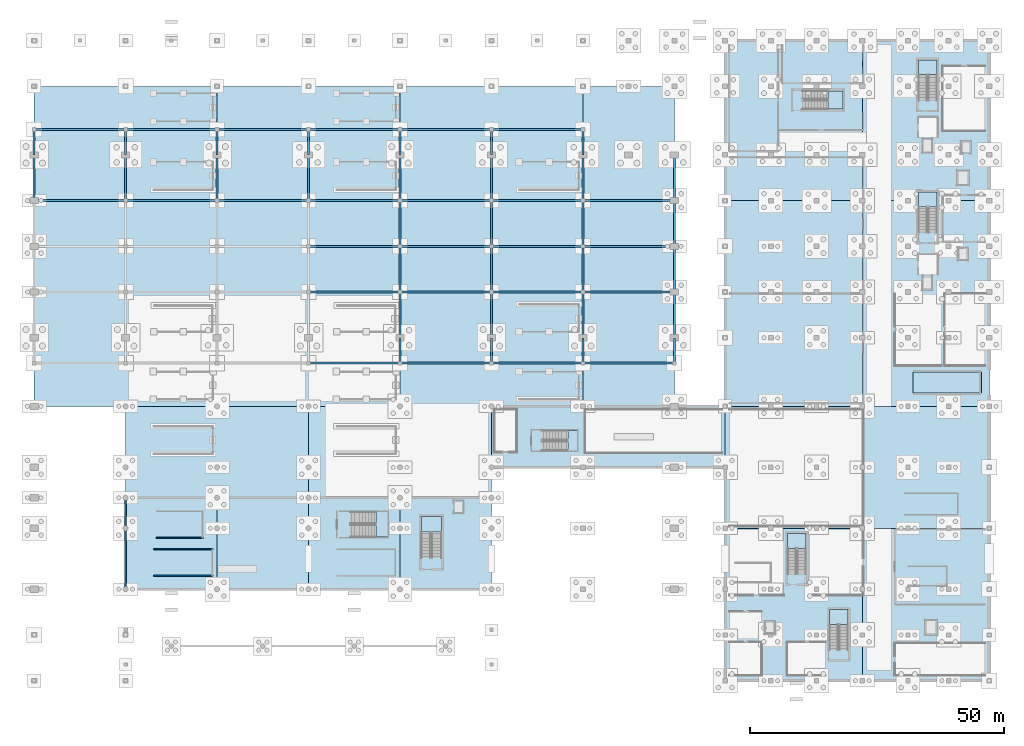
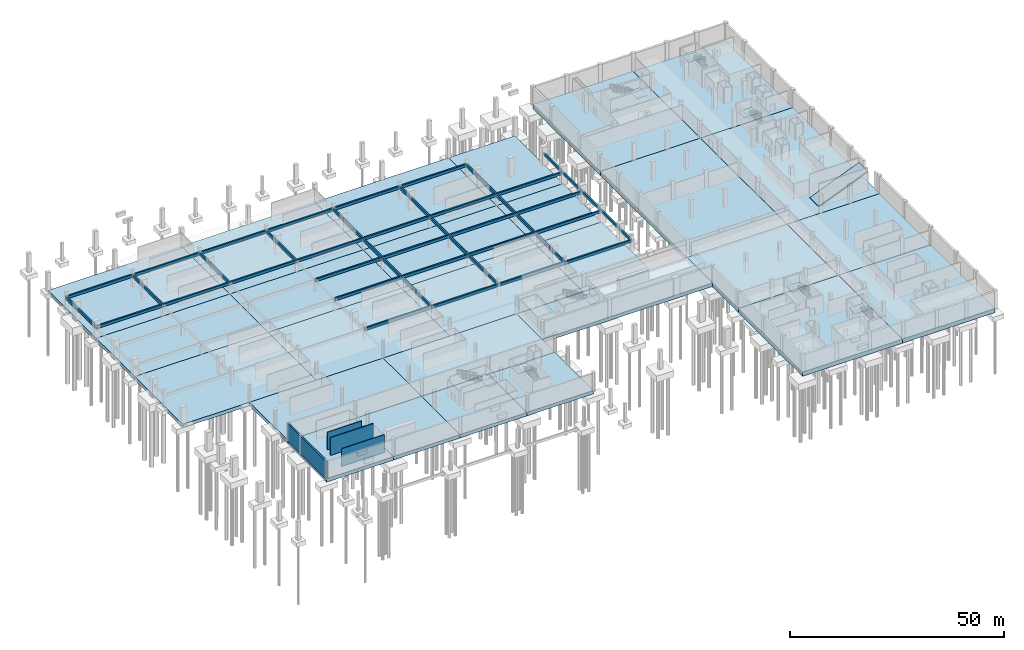
# One storey, part 11 of 26: 56 beams, 36 slabs, 4 walls, 8 elements without a shape of their own.
"""IFC4 building model written with IfcOpenShell, lengths in metres."""

from ifc_helpers import new_model, si_unit, direction, frame, frame_2d, origin, origin_2d, place, context, subcontext, project, spatial, polyline, rectangle, outline, extrude, material, layer, layer_set, material_profile, profile_set, type_object, element, aggregate, save


model = new_model("IFC4")

# Units and contexts
model_context = context("Model", 3, precision=1e-05, world=origin(), true_north=direction((0.0, 1.0)))
body_context = subcontext(model_context, "Body", "Model", "MODEL_VIEW")
ifc_project = project(units=[si_unit("LENGTHUNIT", "METRE"), si_unit("AREAUNIT", "SQUARE_METRE"), si_unit("VOLUMEUNIT", "CUBIC_METRE"), si_unit("PLANEANGLEUNIT", "RADIAN"), si_unit("MASSUNIT", "GRAM", prefix="KILO")], contexts=[model_context])

# Site, building, storey
site_placement = place(None, origin())
site = spatial("IfcSite", under=ifc_project, at=site_placement, CompositionType="ELEMENT")
building_placement = place(site_placement, origin())
building = spatial("IfcBuilding", under=site, at=building_placement, Name="Chuanluo Vaults Station", CompositionType="ELEMENT")
storey_placement = place(building_placement, frame((0.0, 0.0, -5.39990234375)))
storey = spatial("IfcBuildingStorey", under=building, at=storey_placement, Name="B1", CompositionType="ELEMENT", Elevation=-5.39990234375)

# Beams
ifc_material_1 = material(Name="Concrete C40", Category="concrete")
ifc_material_profile = material_profile(ifc_material_1, rectangle(XDim=0.39990234375, YDim=0.75, at=origin_2d()))
ifc_profile_set = profile_set([ifc_material_profile], Name="Concrete C40")
beam_type = type_object("IfcBeamType", Name="BM-RC-750", PredefinedType="USERDEFINED", material=ifc_profile_set)
for number, where, z_axis, x_axis, name in (
    (1, (54.0, 62.5, 3.125), (1.0, 0.0, 0.0), (0.0, 1.0, 0.0), "Track trough support girder 004"),
    (2, (72.0, 62.5, 3.125), (1.0, 0.0, 0.0), (0.0, 1.0, 0.0), "Track trough support girder 005"),
    (3, (90.0, 62.5, 3.125), (1.0, 0.0, 0.0), (0.0, 1.0, 0.0), "Track trough support girder 006"),
    (4, (108.0, 62.5, 3.125), (1.0, 0.0, 0.0), (0.0, 1.0, 0.0), "Track trough support girder 007"),
    (5, (54.0, 76.5, 3.125), (1.0, 0.0, 0.0), (0.0, 1.0, 0.0), "Track trough support girder 011"),
    (6, (72.0, 76.5, 3.125), (1.0, 0.0, 0.0), (0.0, 1.0, 0.0), "Track trough support girder 012"),
    (7, (90.0, 76.5, 3.125), (1.0, 0.0, 0.0), (0.0, 1.0, 0.0), "Track trough support girder 013"),
    (8, (108.0, 76.5, 3.125), (1.0, 0.0, 0.0), (0.0, 1.0, 0.0), "Track trough support girder 014"),
    (9, (54.0, 85.5, 3.125), (1.0, 0.0, 0.0), (0.0, 1.0, 0.0), "Track trough support girder 018"),
    (10, (72.0, 85.5, 3.125), (1.0, 0.0, 0.0), (0.0, 1.0, 0.0), "Track trough support girder 019"),
    (11, (90.0, 85.5, 3.125), (1.0, 0.0, 0.0), (0.0, 1.0, 0.0), "Track trough support girder 020"),
    (12, (108.0, 85.5, 3.125), (1.0, 0.0, 0.0), (0.0, 1.0, 0.0), "Track trough support girder 021"),
    (13, (0.0, 94.5, 3.125), (1.0, 0.0, 0.0), (0.0, 1.0, 0.0), "Track trough support girder 022"),
    (14, (18.0, 94.5, 3.125), (1.0, 0.0, 0.0), (0.0, 1.0, 0.0), "Track trough support girder 023"),
    (15, (36.0, 94.5, 3.125), (1.0, 0.0, 0.0), (0.0, 1.0, 0.0), "Track trough support girder 024"),
    (16, (54.0, 94.5, 3.125), (1.0, 0.0, 0.0), (0.0, 1.0, 0.0), "Track trough support girder 025"),
    (17, (72.0, 94.5, 3.125), (1.0, 0.0, 0.0), (0.0, 1.0, 0.0), "Track trough support girder 026"),
    (18, (90.0, 94.5, 3.125), (1.0, 0.0, 0.0), (0.0, 1.0, 0.0), "Track trough support girder 027"),
    (19, (108.0, 94.5, 3.125), (1.0, 0.0, 0.0), (0.0, 1.0, 0.0), "Track trough support girder 028"),
    (20, (0.0, 108.5, 3.125), (1.0, 0.0, 0.0), (0.0, 1.0, 0.0), "Track trough support girder 029"),
    (21, (18.0, 108.5, 3.125), (1.0, 0.0, 0.0), (0.0, 1.0, 0.0), "Track trough support girder 030"),
    (22, (36.0, 108.5, 3.125), (1.0, 0.0, 0.0), (0.0, 1.0, 0.0), "Track trough support girder 031"),
    (23, (54.0, 108.5, 3.125), (1.0, 0.0, 0.0), (0.0, 1.0, 0.0), "Track trough support girder 032"),
    (24, (72.0, 108.5, 3.125), (1.0, 0.0, 0.0), (0.0, 1.0, 0.0), "Track trough support girder 033"),
    (25, (90.0, 108.5, 3.125), (1.0, 0.0, 0.0), (0.0, 1.0, 0.0), "Track trough support girder 034"),
):
    element("IfcBeam", number, at=place(storey_placement, frame(where, z_axis=z_axis, x_axis=x_axis)), inside=storey, type_object=beam_type, Name=name, ObjectType="GIRDER", PredefinedType="USERDEFINED", context=body_context, shape_type="SweptSolid", body=[
        extrude(rectangle(XDim=0.39990234375, YDim=0.75, at=origin_2d()), origin(), (0.0, 0.0, 1.0), 18.0),
    ])
beam_1_placement = place(storey_placement, frame((0.0, 94.5, 3.125), z_axis=(0.0, 1.0, 0.0), x_axis=(-1.0, 0.0, 0.0)))
element("IfcBeam", 26, at=beam_1_placement, inside=storey, type_object=beam_type, Name="Track trough transverse girder 039", ObjectType="GIRDER", PredefinedType="USERDEFINED", context=body_context, shape_type="SweptSolid", body=[
    extrude(rectangle(XDim=0.39990234375, YDim=0.75, at=origin_2d()), origin(), (0.0, 0.0, 1.0), 9.0),
])
beam_2_placement = place(storey_placement, frame((0.0, 103.5, 3.125), z_axis=(0.0, 1.0, 0.0), x_axis=(-1.0, 0.0, 0.0)))
element("IfcBeam", 27, at=beam_2_placement, inside=storey, type_object=beam_type, Name="Track trough transverse girder 040", ObjectType="GIRDER", PredefinedType="USERDEFINED", context=body_context, shape_type="SweptSolid", body=[
    extrude(rectangle(XDim=0.39990234375, YDim=0.75, at=origin_2d()), origin(), (0.0, 0.0, 1.0), 5.0),
])
beam_3_placement = place(storey_placement, frame((18.0, 94.5, 3.125), z_axis=(0.0, 1.0, 0.0), x_axis=(-1.0, 0.0, 0.0)))
element("IfcBeam", 28, at=beam_3_placement, inside=storey, type_object=beam_type, Name="Track trough transverse girder 045", ObjectType="GIRDER", PredefinedType="USERDEFINED", context=body_context, shape_type="SweptSolid", body=[
    extrude(rectangle(XDim=0.39990234375, YDim=0.75, at=origin_2d()), origin(), (0.0, 0.0, 1.0), 9.0),
])
beam_4_placement = place(storey_placement, frame((18.0, 103.5, 3.125), z_axis=(0.0, 1.0, 0.0), x_axis=(-1.0, 0.0, 0.0)))
element("IfcBeam", 29, at=beam_4_placement, inside=storey, type_object=beam_type, Name="Track trough transverse girder 046", ObjectType="GIRDER", PredefinedType="USERDEFINED", context=body_context, shape_type="SweptSolid", body=[
    extrude(rectangle(XDim=0.39990234375, YDim=0.75, at=origin_2d()), origin(), (0.0, 0.0, 1.0), 5.0),
])
beam_5_placement = place(storey_placement, frame((36.0, 94.5, 3.125), z_axis=(0.0, 1.0, 0.0), x_axis=(-1.0, 0.0, 0.0)))
element("IfcBeam", 30, at=beam_5_placement, inside=storey, type_object=beam_type, Name="Track trough transverse girder 051", ObjectType="GIRDER", PredefinedType="USERDEFINED", context=body_context, shape_type="SweptSolid", body=[
    extrude(rectangle(XDim=0.39990234375, YDim=0.75, at=origin_2d()), origin(), (0.0, 0.0, 1.0), 9.0),
])
beam_6_placement = place(storey_placement, frame((36.0, 103.5, 3.125), z_axis=(0.0, 1.0, 0.0), x_axis=(-1.0, 0.0, 0.0)))
element("IfcBeam", 31, at=beam_6_placement, inside=storey, type_object=beam_type, Name="Track trough transverse girder 052", ObjectType="GIRDER", PredefinedType="USERDEFINED", context=body_context, shape_type="SweptSolid", body=[
    extrude(rectangle(XDim=0.39990234375, YDim=0.75, at=origin_2d()), origin(), (0.0, 0.0, 1.0), 5.0),
])
beam_7_placement = place(storey_placement, frame((54.0, 94.5, 3.125), z_axis=(0.0, 1.0, 0.0), x_axis=(-1.0, 0.0, 0.0)))
element("IfcBeam", 32, at=beam_7_placement, inside=storey, type_object=beam_type, Name="Track trough transverse girder 057", ObjectType="GIRDER", PredefinedType="USERDEFINED", context=body_context, shape_type="SweptSolid", body=[
    extrude(rectangle(XDim=0.39990234375, YDim=0.75, at=origin_2d()), origin(), (0.0, 0.0, 1.0), 9.0),
])
for number, where, z_axis, x_axis, name in (
    (33, (54.0, 103.5, 3.125), (0.0, 1.0, 0.0), (-1.0, 0.0, 0.0), "Track trough transverse girder 058"),
    (34, (72.0, 62.5, 3.125), (0.0, 1.0, 0.0), (-1.0, 0.0, 0.0), "Track trough transverse girder 059"),
):
    element("IfcBeam", number, at=place(storey_placement, frame(where, z_axis=z_axis, x_axis=x_axis)), inside=storey, type_object=beam_type, Name=name, ObjectType="GIRDER", PredefinedType="USERDEFINED", context=body_context, shape_type="SweptSolid", body=[
        extrude(rectangle(XDim=0.39990234375, YDim=0.75, at=origin_2d()), origin(), (0.0, 0.0, 1.0), 5.0),
    ])
for number, where, z_axis, x_axis, name in (
    (35, (72.0, 67.5, 3.125), (0.0, 1.0, 0.0), (-1.0, 0.0, 0.0), "Track trough transverse girder 060"),
    (36, (72.0, 76.5, 3.125), (0.0, 1.0, 0.0), (-1.0, 0.0, 0.0), "Track trough transverse girder 061"),
    (37, (72.0, 85.5, 3.125), (0.0, 1.0, 0.0), (-1.0, 0.0, 0.0), "Track trough transverse girder 062"),
    (38, (72.0, 94.5, 3.125), (0.0, 1.0, 0.0), (-1.0, 0.0, 0.0), "Track trough transverse girder 063"),
):
    element("IfcBeam", number, at=place(storey_placement, frame(where, z_axis=z_axis, x_axis=x_axis)), inside=storey, type_object=beam_type, Name=name, ObjectType="GIRDER", PredefinedType="USERDEFINED", context=body_context, shape_type="SweptSolid", body=[
        extrude(rectangle(XDim=0.39990234375, YDim=0.75, at=origin_2d()), origin(), (0.0, 0.0, 1.0), 9.0),
    ])
for number, where, z_axis, x_axis, name in (
    (39, (72.0, 103.5, 3.125), (0.0, 1.0, 0.0), (-1.0, 0.0, 0.0), "Track trough transverse girder 064"),
    (40, (90.0, 62.5, 3.125), (0.0, 1.0, 0.0), (-1.0, 0.0, 0.0), "Track trough transverse girder 065"),
):
    element("IfcBeam", number, at=place(storey_placement, frame(where, z_axis=z_axis, x_axis=x_axis)), inside=storey, type_object=beam_type, Name=name, ObjectType="GIRDER", PredefinedType="USERDEFINED", context=body_context, shape_type="SweptSolid", body=[
        extrude(rectangle(XDim=0.39990234375, YDim=0.75, at=origin_2d()), origin(), (0.0, 0.0, 1.0), 5.0),
    ])
for number, where, z_axis, x_axis, name in (
    (41, (90.0, 67.5, 3.125), (0.0, 1.0, 0.0), (-1.0, 0.0, 0.0), "Track trough transverse girder 066"),
    (42, (90.0, 76.5, 3.125), (0.0, 1.0, 0.0), (-1.0, 0.0, 0.0), "Track trough transverse girder 067"),
    (43, (90.0, 85.5, 3.125), (0.0, 1.0, 0.0), (-1.0, 0.0, 0.0), "Track trough transverse girder 068"),
    (44, (90.0, 94.5, 3.125), (0.0, 1.0, 0.0), (-1.0, 0.0, 0.0), "Track trough transverse girder 069"),
):
    element("IfcBeam", number, at=place(storey_placement, frame(where, z_axis=z_axis, x_axis=x_axis)), inside=storey, type_object=beam_type, Name=name, ObjectType="GIRDER", PredefinedType="USERDEFINED", context=body_context, shape_type="SweptSolid", body=[
        extrude(rectangle(XDim=0.39990234375, YDim=0.75, at=origin_2d()), origin(), (0.0, 0.0, 1.0), 9.0),
    ])
for number, where, z_axis, x_axis, name in (
    (45, (90.0, 103.5, 3.125), (0.0, 1.0, 0.0), (-1.0, 0.0, 0.0), "Track trough transverse girder 070"),
    (46, (108.0, 62.5, 3.125), (0.0, 1.0, 0.0), (-1.0, 0.0, 0.0), "Track trough transverse girder 071"),
):
    element("IfcBeam", number, at=place(storey_placement, frame(where, z_axis=z_axis, x_axis=x_axis)), inside=storey, type_object=beam_type, Name=name, ObjectType="GIRDER", PredefinedType="USERDEFINED", context=body_context, shape_type="SweptSolid", body=[
        extrude(rectangle(XDim=0.39990234375, YDim=0.75, at=origin_2d()), origin(), (0.0, 0.0, 1.0), 5.0),
    ])
for number, where, z_axis, x_axis, name in (
    (47, (108.0, 67.5, 3.125), (0.0, 1.0, 0.0), (-1.0, 0.0, 0.0), "Track trough transverse girder 072"),
    (48, (108.0, 76.5, 3.125), (0.0, 1.0, 0.0), (-1.0, 0.0, 0.0), "Track trough transverse girder 073"),
    (49, (108.0, 85.5, 3.125), (0.0, 1.0, 0.0), (-1.0, 0.0, 0.0), "Track trough transverse girder 074"),
    (50, (108.0, 94.5, 3.125), (0.0, 1.0, 0.0), (-1.0, 0.0, 0.0), "Track trough transverse girder 075"),
):
    element("IfcBeam", number, at=place(storey_placement, frame(where, z_axis=z_axis, x_axis=x_axis)), inside=storey, type_object=beam_type, Name=name, ObjectType="GIRDER", PredefinedType="USERDEFINED", context=body_context, shape_type="SweptSolid", body=[
        extrude(rectangle(XDim=0.39990234375, YDim=0.75, at=origin_2d()), origin(), (0.0, 0.0, 1.0), 9.0),
    ])
for number, where, z_axis, x_axis, name in (
    (51, (108.0, 103.5, 3.125), (0.0, 1.0, 0.0), (-1.0, 0.0, 0.0), "Track trough transverse girder 076"),
    (52, (126.0, 62.5, 3.125), (0.0, 1.0, 0.0), (-1.0, 0.0, 0.0), "Track trough transverse girder 077"),
):
    element("IfcBeam", number, at=place(storey_placement, frame(where, z_axis=z_axis, x_axis=x_axis)), inside=storey, type_object=beam_type, Name=name, ObjectType="GIRDER", PredefinedType="USERDEFINED", context=body_context, shape_type="SweptSolid", body=[
        extrude(rectangle(XDim=0.39990234375, YDim=0.75, at=origin_2d()), origin(), (0.0, 0.0, 1.0), 5.0),
    ])
for number, where, z_axis, x_axis, name in (
    (53, (126.0, 67.5, 3.125), (0.0, 1.0, 0.0), (-1.0, 0.0, 0.0), "Track trough transverse girder 078"),
    (54, (126.0, 76.5, 3.125), (0.0, 1.0, 0.0), (-1.0, 0.0, 0.0), "Track trough transverse girder 079"),
    (55, (126.0, 85.5, 3.125), (0.0, 1.0, 0.0), (-1.0, 0.0, 0.0), "Track trough transverse girder 080"),
    (56, (126.0, 94.5, 3.125), (0.0, 1.0, 0.0), (-1.0, 0.0, 0.0), "Track trough transverse girder 081"),
):
    element("IfcBeam", number, at=place(storey_placement, frame(where, z_axis=z_axis, x_axis=x_axis)), inside=storey, type_object=beam_type, Name=name, ObjectType="GIRDER", PredefinedType="USERDEFINED", context=body_context, shape_type="SweptSolid", body=[
        extrude(rectangle(XDim=0.39990234375, YDim=0.75, at=origin_2d()), origin(), (0.0, 0.0, 1.0), 9.0),
    ])

# Stair, slab
ifc_material_2 = material(Name="Concrete C40", Category="concrete")
stair_type_1 = type_object("IfcStairType", Name="STR-TWO-2400", PredefinedType="HALF_TURN_STAIR", material=ifc_material_2)
stair_1_placement = place(storey_placement, origin())
stair_1 = element("IfcStair", 57, at=stair_1_placement, inside=storey, type_object=stair_type_1, Name="B1 ST-24", PredefinedType="HALF_TURN_STAIR")
ifc_material_3 = material(Name="Concrete C40", Category="concrete")
ifc_layer_1 = layer(ifc_material_3, 0.18994140625)
ifc_layer_set_1 = layer_set([ifc_layer_1], Name="Concrete C40")
slab_type_1 = type_object("IfcSlabType", Name="SLB-LND-190", PredefinedType="LANDING", material=ifc_layer_set_1)
slab_1_placement = place(storey_placement, frame((0.0, 0.0, 2.5)))
slab_1 = element("IfcSlab", 58, at=slab_1_placement, type_object=slab_type_1, Name="ST-24 landing 1", PredefinedType="LANDING", context=body_context, shape_type="SweptSolid", body=[
    extrude(outline(polyline([(67.28759765625, 28.25), (69.66259765625, 28.25), (69.66259765625, 33.25), (67.28759765625, 33.25), (67.28759765625, 28.25)])), origin(), (0.0, 0.0, 1.0), 0.199951171875),
])
aggregate(stair_1, [slab_1])

ifc_material_4 = material(Name="Concrete C40", Category="concrete")
stair_type_2 = type_object("IfcStairType", Name="STR-TWO-1800", PredefinedType="HALF_TURN_STAIR", material=ifc_material_4)
stair_2_placement = place(storey_placement, origin())
stair_2 = element("IfcStair", 59, at=stair_2_placement, inside=storey, type_object=stair_type_2, Name="B1 ST-25", PredefinedType="HALF_TURN_STAIR")
slab_2_placement = place(storey_placement, frame((0.0, 0.0, 2.5)))
slab_2 = element("IfcSlab", 60, at=slab_2_placement, type_object=slab_type_1, Name="ST-25 landing 1", PredefinedType="LANDING", context=body_context, shape_type="SweptSolid", body=[
    extrude(outline(polyline([(105.03759765625, 45.25), (106.91259765625, 45.25), (106.91259765625, 49.25), (105.03759765625, 49.25), (105.03759765625, 45.25)])), origin(), (0.0, 0.0, 1.0), 0.199951171875),
])
aggregate(stair_2, [slab_2])

ifc_material_5 = material(Name="Concrete C40", Category="concrete")
stair_type_3 = type_object("IfcStairType", Name="STR-TWO-1600", PredefinedType="HALF_TURN_STAIR", material=ifc_material_5)
stair_3_placement = place(storey_placement, origin())
stair_3 = element("IfcStair", 61, at=stair_3_placement, inside=storey, type_object=stair_type_3, Name="B1 ST-01", PredefinedType="HALF_TURN_STAIR")
ifc_material_6 = material(Name="Concrete C40", Category="concrete")
ifc_layer_2 = layer(ifc_material_6, 0.199951171875)
ifc_layer_set_2 = layer_set([ifc_layer_2], Name="Concrete C40")
slab_type_2 = type_object("IfcSlabType", Name="SLB-LND-200", PredefinedType="LANDING", material=ifc_layer_set_2)
slab_3_placement = place(storey_placement, frame((0.0, 0.0, 2.5)))
slab_3 = element("IfcSlab", 62, at=slab_3_placement, type_object=slab_type_2, Name="ST-01 landing 1", PredefinedType="LANDING", context=body_context, shape_type="SweptSolid", body=[
    extrude(outline(polyline([(177.6875, 93.28759765625), (177.6875, 96.172607421875), (174.0673828125, 96.172607421875), (174.0673828125, 93.28759765625), (177.6875, 93.28759765625)])), origin(), (0.0, 0.0, 1.0), 0.199951171875),
])
aggregate(stair_3, [slab_3])

stair_4_placement = place(storey_placement, origin())
stair_4 = element("IfcStair", 63, at=stair_4_placement, inside=storey, type_object=stair_type_3, Name="B1 ST-02", PredefinedType="HALF_TURN_STAIR")
slab_4_placement = place(storey_placement, frame((0.0, 0.0, 2.5)))
slab_4 = element("IfcSlab", 64, at=slab_4_placement, type_object=slab_type_2, Name="ST-02 landing 1", PredefinedType="LANDING", context=body_context, shape_type="SweptSolid", body=[
    extrude(outline(polyline([(177.6875, 119.28759765625), (177.6875, 122.172607421875), (174.0673828125, 122.172607421875), (174.0673828125, 119.28759765625), (177.6875, 119.28759765625)])), origin(), (0.0, 0.0, 1.0), 0.199951171875),
])
aggregate(stair_4, [slab_4])

stair_5_placement = place(storey_placement, origin())
stair_5 = element("IfcStair", 65, at=stair_5_placement, inside=storey, type_object=stair_type_3, Name="B1 ST-03", PredefinedType="HALF_TURN_STAIR")
slab_5_placement = place(storey_placement, frame((0.0, 0.0, 2.5)))
slab_5 = element("IfcSlab", 66, at=slab_5_placement, type_object=slab_type_2, Name="ST-03 landing 1", PredefinedType="LANDING", context=body_context, shape_type="SweptSolid", body=[
    extrude(outline(polyline([(156.28759765625, 112.5), (159.172607421875, 112.5), (159.172607421875, 116.1201171875), (156.28759765625, 116.1201171875), (156.28759765625, 112.5)])), origin(), (0.0, 0.0, 1.0), 0.199951171875),
])
aggregate(stair_5, [slab_5])

stair_6_placement = place(storey_placement, origin())
stair_6 = element("IfcStair", 67, at=stair_6_placement, inside=storey, type_object=stair_type_3, Name="B1 ST-04", PredefinedType="HALF_TURN_STAIR")
slab_6_placement = place(storey_placement, frame((0.0, 0.0, 2.5)))
slab_6 = element("IfcSlab", 68, at=slab_6_placement, type_object=slab_type_2, Name="ST-04 landing 1", PredefinedType="LANDING", context=body_context, shape_type="SweptSolid", body=[
    extrude(outline(polyline([(151.9375, 26.03759765625), (151.9375, 28.922607421875), (148.3173828125, 28.922607421875), (148.3173828125, 26.03759765625), (151.9375, 26.03759765625)])), origin(), (0.0, 0.0, 1.0), 0.199951171875),
])
aggregate(stair_6, [slab_6])

stair_7_placement = place(storey_placement, origin())
stair_7 = element("IfcStair", 69, at=stair_7_placement, inside=storey, type_object=stair_type_3, Name="B1 ST-05", PredefinedType="HALF_TURN_STAIR")
slab_7_placement = place(storey_placement, frame((0.0, 0.0, 2.5)))
slab_7 = element("IfcSlab", 70, at=slab_7_placement, type_object=slab_type_2, Name="ST-05 landing 1", PredefinedType="LANDING", context=body_context, shape_type="SweptSolid", body=[
    extrude(outline(polyline([(160.1875, 11.10009765625), (160.1875, 13.985107421875), (156.5673828125, 13.985107421875), (156.5673828125, 11.10009765625), (160.1875, 11.10009765625)])), origin(), (0.0, 0.0, 1.0), 0.199951171875),
])
aggregate(stair_7, [slab_7])

stair_8_placement = place(storey_placement, origin())
stair_8 = element("IfcStair", 71, at=stair_8_placement, inside=storey, type_object=stair_type_2, Name="B1 ST-06", PredefinedType="HALF_TURN_STAIR")
slab_8_placement = place(storey_placement, frame((0.0, 0.0, 2.5)))
slab_8 = element("IfcSlab", 72, at=slab_8_placement, type_object=slab_type_2, Name="ST-06 landing 1", PredefinedType="LANDING", context=body_context, shape_type="SweptSolid", body=[
    extrude(outline(polyline([(80.1875, 29.22509765625), (80.1875, 32.300048828125), (76.1875, 32.300048828125), (76.1875, 29.22509765625), (80.1875, 29.22509765625)])), origin(), (0.0, 0.0, 1.0), 0.199951171875),
])
aggregate(stair_8, [slab_8])

# Slabs
ifc_material_7 = material(Name="Concrete C40", Category="concrete")
ifc_layer_3 = layer(ifc_material_7, 1.0)
ifc_layer_set_3 = layer_set([ifc_layer_3], Name="Concrete C40")
slab_type_3 = type_object("IfcSlabType", Name="SLB-RAFT-1000", PredefinedType="BASESLAB", material=ifc_layer_set_3)
slab_9_placement = place(storey_placement, frame((0.0, 0.0, -1.0)))
element("IfcSlab", 73, at=slab_9_placement, inside=storey, type_object=slab_type_3, Name="B1 UND0 slab 01", PredefinedType="BASESLAB", context=body_context, shape_type="SweptSolid", body=[
    extrude(outline(polyline([(18.0, 18.0), (36.0, 18.0), (36.0, 36.0), (18.0, 36.0), (18.0, 18.0)])), origin(), (0.0, 0.0, 1.0), 1.0),
])
slab_10_placement = place(storey_placement, frame((0.0, 0.0, -1.0)))
element("IfcSlab", 74, at=slab_10_placement, inside=storey, type_object=slab_type_3, Name="B1 UND0 slab 02", PredefinedType="BASESLAB", context=body_context, shape_type="SweptSolid", body=[
    extrude(outline(polyline([(36.0, 18.0), (54.0, 18.0), (54.0, 36.0), (36.0, 36.0), (36.0, 18.0)])), origin(), (0.0, 0.0, 1.0), 1.0),
])
slab_11_placement = place(storey_placement, frame((0.0, 0.0, -1.0)))
element("IfcSlab", 75, at=slab_11_placement, inside=storey, type_object=slab_type_3, Name="B1 UND1 slab 01", PredefinedType="BASESLAB", context=body_context, shape_type="SweptSolid", body=[
    extrude(outline(polyline([(54.0, 18.0), (72.0, 18.0), (72.0, 36.0), (54.0, 36.0), (54.0, 18.0)])), origin(), (0.0, 0.0, 1.0), 1.0),
])
slab_12_placement = place(storey_placement, frame((0.0, 0.0, -1.0)))
element("IfcSlab", 76, at=slab_12_placement, inside=storey, type_object=slab_type_3, Name="B1 UND1 slab 02", PredefinedType="BASESLAB", context=body_context, shape_type="SweptSolid", body=[
    extrude(outline(polyline([(72.0, 18.0), (90.0, 18.0), (90.0, 36.0), (72.0, 36.0), (72.0, 18.0)])), origin(), (0.0, 0.0, 1.0), 1.0),
])
slab_13_placement = place(storey_placement, frame((0.0, 0.0, -1.0)))
element("IfcSlab", 77, at=slab_13_placement, inside=storey, type_object=slab_type_3, Name="B1 UND1B slab 01", PredefinedType="BASESLAB", context=body_context, shape_type="SweptSolid", body=[
    extrude(outline(polyline([(18.0, 36.0), (54.0, 36.0), (54.0, 54.0), (18.0, 54.0), (18.0, 36.0)])), origin(), (0.0, 0.0, 1.0), 1.0),
])
slab_14_placement = place(storey_placement, frame((0.0, 0.0, -1.0)))
element("IfcSlab", 78, at=slab_14_placement, inside=storey, type_object=slab_type_3, Name="B1 UND1B slab 02", PredefinedType="BASESLAB", context=body_context, shape_type="SweptSolid", body=[
    extrude(outline(polyline([(54.0, 36.0), (90.0, 36.0), (90.0, 54.0), (54.0, 54.0), (54.0, 36.0)])), origin(), (0.0, 0.0, 1.0), 1.0),
])
slab_15_placement = place(storey_placement, frame((0.0, 0.0, -1.0)))
element("IfcSlab", 79, at=slab_15_placement, inside=storey, type_object=slab_type_3, Name="B1 UND2 slab 01", PredefinedType="BASESLAB", context=body_context, shape_type="SweptSolid", body=[
    extrude(outline(polyline([(90.0, 42.0), (136.0, 42.0), (136.0, 54.0), (90.0, 54.0), (90.0, 42.0)])), origin(), (0.0, 0.0, 1.0), 1.0),
])
slab_16_placement = place(storey_placement, frame((0.0, 0.0, -1.0)))
element("IfcSlab", 80, at=slab_16_placement, inside=storey, type_object=slab_type_3, Name="B1 UND3 slab 01", PredefinedType="BASESLAB", context=body_context, shape_type="SweptSolid", body=[
    extrude(outline(polyline([(0.0, 54.0), (36.0, 54.0), (36.0, 76.5), (0.0, 76.5), (0.0, 54.0)])), origin(), (0.0, 0.0, 1.0), 1.0),
])
slab_17_placement = place(storey_placement, frame((0.0, 0.0, -1.0)))
element("IfcSlab", 81, at=slab_17_placement, inside=storey, type_object=slab_type_3, Name="B1 UND3 slab 02", PredefinedType="BASESLAB", context=body_context, shape_type="SweptSolid", body=[
    extrude(outline(polyline([(0.0, 76.5), (36.0, 76.5), (36.0, 94.5), (0.0, 94.5), (0.0, 76.5)])), origin(), (0.0, 0.0, 1.0), 1.0),
])
slab_18_placement = place(storey_placement, frame((0.0, 0.0, -1.0)))
element("IfcSlab", 82, at=slab_18_placement, inside=storey, type_object=slab_type_3, Name="B1 UND3 slab 03", PredefinedType="BASESLAB", context=body_context, shape_type="SweptSolid", body=[
    extrude(outline(polyline([(0.0, 94.5), (36.0, 94.5), (36.0, 117.0), (0.0, 117.0), (0.0, 94.5)])), origin(), (0.0, 0.0, 1.0), 1.0),
])
slab_19_placement = place(storey_placement, frame((0.0, 0.0, -1.0)))
element("IfcSlab", 83, at=slab_19_placement, inside=storey, type_object=slab_type_3, Name="B1 UND3 slab 04", PredefinedType="BASESLAB", context=body_context, shape_type="SweptSolid", body=[
    extrude(outline(polyline([(36.0, 54.0), (72.0, 54.0), (72.0, 76.5), (36.0, 76.5), (36.0, 54.0)])), origin(), (0.0, 0.0, 1.0), 1.0),
])
slab_20_placement = place(storey_placement, frame((0.0, 0.0, -1.0)))
element("IfcSlab", 84, at=slab_20_placement, inside=storey, type_object=slab_type_3, Name="B1 UND3 slab 05", PredefinedType="BASESLAB", context=body_context, shape_type="SweptSolid", body=[
    extrude(outline(polyline([(36.0, 76.5), (72.0, 76.5), (72.0, 94.5), (36.0, 94.5), (36.0, 76.5)])), origin(), (0.0, 0.0, 1.0), 1.0),
])
slab_21_placement = place(storey_placement, frame((0.0, 0.0, -1.0)))
element("IfcSlab", 85, at=slab_21_placement, inside=storey, type_object=slab_type_3, Name="B1 UND3 slab 06", PredefinedType="BASESLAB", context=body_context, shape_type="SweptSolid", body=[
    extrude(outline(polyline([(36.0, 94.5), (72.0, 94.5), (72.0, 117.0), (36.0, 117.0), (36.0, 94.5)])), origin(), (0.0, 0.0, 1.0), 1.0),
])
slab_22_placement = place(storey_placement, frame((0.0, 0.0, -1.0)))
element("IfcSlab", 86, at=slab_22_placement, inside=storey, type_object=slab_type_3, Name="B1 UND3 slab 07", PredefinedType="BASESLAB", context=body_context, shape_type="SweptSolid", body=[
    extrude(outline(polyline([(72.0, 54.0), (108.0, 54.0), (108.0, 76.5), (72.0, 76.5), (72.0, 54.0)])), origin(), (0.0, 0.0, 1.0), 1.0),
])
slab_23_placement = place(storey_placement, frame((0.0, 0.0, -1.0)))
element("IfcSlab", 87, at=slab_23_placement, inside=storey, type_object=slab_type_3, Name="B1 UND3 slab 08", PredefinedType="BASESLAB", context=body_context, shape_type="SweptSolid", body=[
    extrude(outline(polyline([(72.0, 76.5), (108.0, 76.5), (108.0, 94.5), (72.0, 94.5), (72.0, 76.5)])), origin(), (0.0, 0.0, 1.0), 1.0),
])
slab_24_placement = place(storey_placement, frame((0.0, 0.0, -1.0)))
element("IfcSlab", 88, at=slab_24_placement, inside=storey, type_object=slab_type_3, Name="B1 UND3 slab 09", PredefinedType="BASESLAB", context=body_context, shape_type="SweptSolid", body=[
    extrude(outline(polyline([(72.0, 94.5), (108.0, 94.5), (108.0, 117.0), (72.0, 117.0), (72.0, 94.5)])), origin(), (0.0, 0.0, 1.0), 1.0),
])
slab_25_placement = place(storey_placement, frame((0.0, 0.0, -1.0)))
element("IfcSlab", 89, at=slab_25_placement, inside=storey, type_object=slab_type_3, Name="B1 UND3 slab 10", PredefinedType="BASESLAB", context=body_context, shape_type="SweptSolid", body=[
    extrude(outline(polyline([(108.0, 54.0), (126.0, 54.0), (126.0, 76.5), (108.0, 76.5), (108.0, 54.0)])), origin(), (0.0, 0.0, 1.0), 1.0),
])
slab_26_placement = place(storey_placement, frame((0.0, 0.0, -1.0)))
element("IfcSlab", 90, at=slab_26_placement, inside=storey, type_object=slab_type_3, Name="B1 UND3 slab 11", PredefinedType="BASESLAB", context=body_context, shape_type="SweptSolid", body=[
    extrude(outline(polyline([(108.0, 76.5), (126.0, 76.5), (126.0, 94.5), (108.0, 94.5), (108.0, 76.5)])), origin(), (0.0, 0.0, 1.0), 1.0),
])
slab_27_placement = place(storey_placement, frame((0.0, 0.0, -1.0)))
element("IfcSlab", 91, at=slab_27_placement, inside=storey, type_object=slab_type_3, Name="B1 UND3 slab 12", PredefinedType="BASESLAB", context=body_context, shape_type="SweptSolid", body=[
    extrude(outline(polyline([(108.0, 94.5), (126.0, 94.5), (126.0, 117.0), (108.0, 117.0), (108.0, 94.5)])), origin(), (0.0, 0.0, 1.0), 1.0),
])
ifc_material_8 = material(Name="Concrete C40", Category="concrete")
ifc_layer_4 = layer(ifc_material_8, 1.199951171875)
ifc_layer_set_4 = layer_set([ifc_layer_4], Name="Concrete C40")
slab_type_4 = type_object("IfcSlabType", Name="SLB-RAFT-1200", PredefinedType="BASESLAB", material=ifc_layer_set_4)
slab_28_placement = place(storey_placement, frame((0.0, 0.0, -1.2001953125)))
element("IfcSlab", 92, at=slab_28_placement, inside=storey, type_object=slab_type_4, Name="B1 RFT slab 01", PredefinedType="BASESLAB", context=body_context, shape_type="SweptSolid", body=[
    extrude(outline(polyline([(136.0, 0.0), (163.0, 0.0), (163.0, 30.0), (136.0, 30.0), (136.0, 0.0)])), origin(), (0.0, 0.0, 1.0), 1.2001953125),
])
slab_29_placement = place(storey_placement, frame((0.0, 0.0, -1.2001953125)))
element("IfcSlab", 93, at=slab_29_placement, inside=storey, type_object=slab_type_4, Name="B1 RFT slab 02", PredefinedType="BASESLAB", context=body_context, shape_type="SweptSolid", body=[
    extrude(outline(polyline([(136.0, 30.0), (163.0, 30.0), (163.0, 54.0), (136.0, 54.0), (136.0, 30.0)])), origin(), (0.0, 0.0, 1.0), 1.2001953125),
])
slab_30_placement = place(storey_placement, frame((0.0, 0.0, -1.2001953125)))
element("IfcSlab", 94, at=slab_30_placement, inside=storey, type_object=slab_type_4, Name="B1 RFT slab 03", PredefinedType="BASESLAB", context=body_context, shape_type="SweptSolid", body=[
    extrude(outline(polyline([(136.0, 54.0), (163.0, 54.0), (163.0, 94.5), (136.0, 94.5), (136.0, 54.0)])), origin(), (0.0, 0.0, 1.0), 1.2001953125),
])
slab_31_placement = place(storey_placement, frame((0.0, 0.0, -1.2001953125)))
element("IfcSlab", 95, at=slab_31_placement, inside=storey, type_object=slab_type_4, Name="B1 RFT slab 04", PredefinedType="BASESLAB", context=body_context, shape_type="SweptSolid", body=[
    extrude(outline(polyline([(136.0, 94.5), (163.0, 94.5), (163.0, 126.0), (136.0, 126.0), (136.0, 94.5)])), origin(), (0.0, 0.0, 1.0), 1.2001953125),
])
slab_32_placement = place(storey_placement, frame((0.0, 0.0, -1.2001953125)))
element("IfcSlab", 96, at=slab_32_placement, inside=storey, type_object=slab_type_4, Name="B1 RFT slab 05", PredefinedType="BASESLAB", context=body_context, shape_type="SweptSolid", body=[
    extrude(outline(polyline([(163.0, 0.0), (188.0, 0.0), (188.0, 30.0), (163.0, 30.0), (163.0, 0.0)])), origin(), (0.0, 0.0, 1.0), 1.2001953125),
])
slab_33_placement = place(storey_placement, frame((0.0, 0.0, -1.2001953125)))
element("IfcSlab", 97, at=slab_33_placement, inside=storey, type_object=slab_type_4, Name="B1 RFT slab 06", PredefinedType="BASESLAB", context=body_context, shape_type="SweptSolid", body=[
    extrude(outline(polyline([(163.0, 30.0), (188.0, 30.0), (188.0, 54.0), (163.0, 54.0), (163.0, 30.0)])), origin(), (0.0, 0.0, 1.0), 1.2001953125),
])
slab_34_placement = place(storey_placement, frame((0.0, 0.0, -1.2001953125)))
element("IfcSlab", 98, at=slab_34_placement, inside=storey, type_object=slab_type_4, Name="B1 RFT slab 07", PredefinedType="BASESLAB", context=body_context, shape_type="SweptSolid", body=[
    extrude(outline(polyline([(163.0, 54.0), (188.0, 54.0), (188.0, 94.5), (163.0, 94.5), (163.0, 54.0)]), holes=[polyline([(172.949951171875, 56.60009765625), (173.89990234375, 56.60009765625), (173.89990234375, 60.800048828125), (172.949951171875, 60.800048828125), (172.949951171875, 56.60009765625)])]), origin(), (0.0, 0.0, 1.0), 1.2001953125),
])
slab_35_placement = place(storey_placement, frame((0.0, 0.0, -1.2001953125)))
element("IfcSlab", 99, at=slab_35_placement, inside=storey, type_object=slab_type_4, Name="B1 RFT slab 08", PredefinedType="BASESLAB", context=body_context, shape_type="SweptSolid", body=[
    extrude(outline(polyline([(163.0, 94.5), (188.0, 94.5), (188.0, 126.0), (163.0, 126.0), (163.0, 94.5)])), origin(), (0.0, 0.0, 1.0), 1.2001953125),
])
ifc_material_9 = material(Name="Concrete C40", Category="concrete")
ifc_layer_5 = layer(ifc_material_9, 0.320068359375)
ifc_layer_set_5 = layer_set([ifc_layer_5], Name="Concrete C40")
slab_type_5 = type_object("IfcSlabType", Name="SLB-VEH-320", PredefinedType="FLOOR", material=ifc_layer_set_5)
slab_36_placement = place(storey_placement, frame((173.0, 56.64990234375, 0.0), z_axis=(-0.375697617385, 0.0, 0.926742305223), x_axis=(0.926742305223, 0.0, 0.375697617385)))
element("IfcSlab", 100, at=slab_36_placement, inside=storey, type_object=slab_type_5, Name="Basement service vehicle ramp Y58", PredefinedType="FLOOR", context=body_context, shape_type="SweptSolid", body=[
    extrude(outline(polyline([(0.0, 0.0), (14.373001301762265, 0.0), (14.373001301762265, 4.100097656250001), (0.0, 4.100097656250001), (0.0, 0.0)])), origin(), (0.0, 0.0, -1.0), 0.320068359375),
])

# Walls
ifc_material_10 = material(Name="Concrete C40", Category="concrete")
ifc_layer_6 = layer(ifc_material_10, 0.419921875)
ifc_layer_set_6 = layer_set([ifc_layer_6], Name="Concrete C40")
wall_type_1 = type_object("IfcWallType", Name="WL-RET-420", PredefinedType="USERDEFINED", material=ifc_layer_set_6)
wall_1_placement = place(storey_placement, frame((18.0, 36.0, 0.0), z_axis=(0.0, 0.0, 1.0), x_axis=(0.0, -1.0, 0.0)))
element("IfcWall", 101, at=wall_1_placement, inside=storey, type_object=wall_type_1, Name="Basement perimeter retaining wall 11", ObjectType="RETAININGWALL", PredefinedType="USERDEFINED", context=body_context, shape_type="SweptSolid", body=[
    extrude(rectangle(XDim=18.0, YDim=0.419921875, at=frame_2d((9.0, 0.0))), origin(), (0.0, 0.0, 1.0), 5.0498046875),
])
ifc_material_11 = material(Name="Concrete C40", Category="concrete")
ifc_layer_7 = layer(ifc_material_11, 0.199951171875)
ifc_layer_set_7 = layer_set([ifc_layer_7], Name="Concrete C40")
wall_type_2 = type_object("IfcWallType", Name="WL-SHF-200", PredefinedType="SOLIDWALL", material=ifc_layer_set_7)
for number, where, z_axis, x_axis, name in (
    (102, (23.550048828125, 20.64990234375, 0.0), (0.0, 0.0, 1.0), (1.0, 0.0, 0.0), "Stair ST-18 south shaft wall B1"),
    (103, (35.125, 25.85009765625, 0.0), (0.0, 0.0, 1.0), (-1.0, 0.0, 0.0), "Stair ST-18 north shaft wall B1"),
):
    element("IfcWall", number, at=place(storey_placement, frame(where, z_axis=z_axis, x_axis=x_axis)), inside=storey, type_object=wall_type_2, Name=name, PredefinedType="SOLIDWALL", context=body_context, shape_type="SweptSolid", body=[
        extrude(rectangle(XDim=11.574951171875, YDim=0.199951171875, at=frame_2d((5.78759765625, 0.0))), origin(), (0.0, 0.0, 1.0), 5.0498046875),
    ])
wall_2_placement = place(storey_placement, frame((24.050048828125, 28.14990234375, 0.0), z_axis=(0.0, 0.0, 1.0), x_axis=(1.0, 0.0, 0.0)))
element("IfcWall", 104, at=wall_2_placement, inside=storey, type_object=wall_type_2, Name="Stair ST-22 south shaft wall B1", PredefinedType="SOLIDWALL", context=body_context, shape_type="SweptSolid", body=[
    extrude(rectangle(XDim=9.175048828125, YDim=0.199951171875, at=frame_2d((4.58740234375, 0.0))), origin(), (0.0, 0.0, 1.0), 5.0498046875),
])

save(model, "model.ifc")
